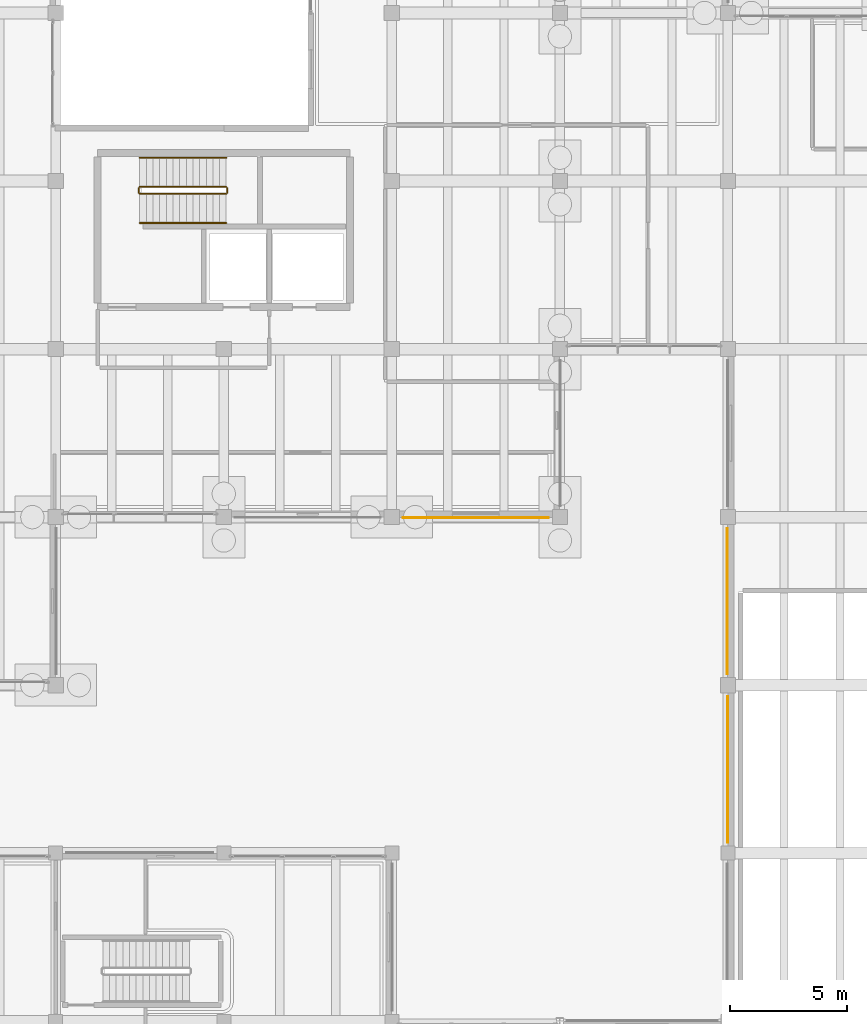
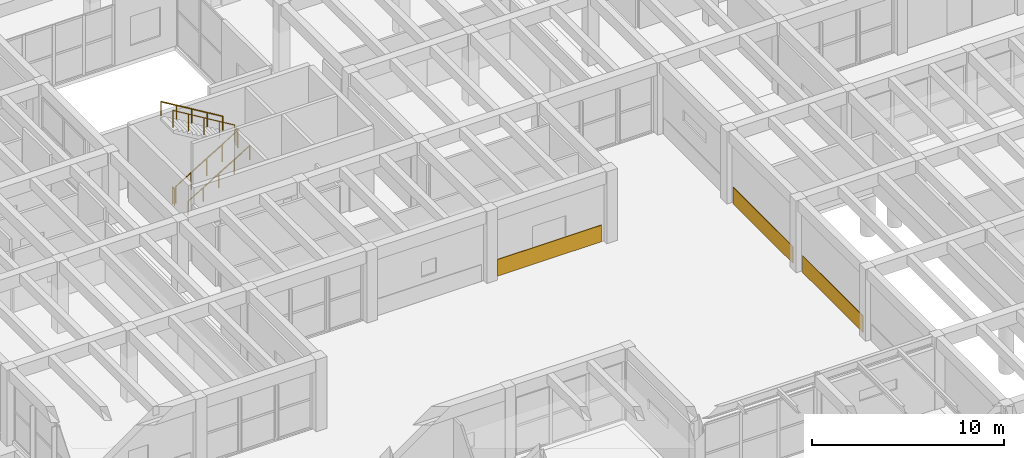
# One storey, part 146 of 155: 6 railings, 3 coverings.
"""IFC4 building model written with IfcOpenShell, lengths in metres."""

from ifc_helpers import new_model, si_unit, direction, frame, origin, origin_2d, place, context, subcontext, project, spatial, rectangle, circle, extrude, material, layer, layer_set, type_object, element, save


model = new_model("IFC4")

# Units and contexts
model_context = context("Model", 3, precision=1e-05, world=origin(), true_north=direction((0.0, 1.0)))
body_context = subcontext(model_context, "Body", "Model", "MODEL_VIEW")
ifc_project = project(units=[si_unit("LENGTHUNIT", "METRE"), si_unit("AREAUNIT", "SQUARE_METRE"), si_unit("VOLUMEUNIT", "CUBIC_METRE"), si_unit("PLANEANGLEUNIT", "RADIAN"), si_unit("MASSUNIT", "GRAM", prefix="KILO")], contexts=[model_context])

# Site, building, storey
site_placement = place(None, origin())
site = spatial("IfcSite", under=ifc_project, at=site_placement, CompositionType="ELEMENT")
building_placement = place(site_placement, origin())
building = spatial("IfcBuilding", under=site, at=building_placement, Name="Bramvelor Terrace Health Centre", CompositionType="ELEMENT")
storey_placement = place(building_placement, origin())
storey = spatial("IfcBuildingStorey", under=building, at=storey_placement, Name="L01", CompositionType="ELEMENT", Elevation=0.0)

# Coverings
ifc_material_1 = material(Name="Honed volcanic tuff rainscreen stone", Category="masonry")
ifc_layer = layer(ifc_material_1, 0.0400390625)
ifc_layer_set = layer_set([ifc_layer], Name="Honed volcanic tuff rainscreen stone")
covering_type = type_object("IfcCoveringType", Name="COV-CLAD-TUF", PredefinedType="CLADDING", material=ifc_layer_set)
covering_1_placement = place(storey_placement, frame((43.18505859375, 68.387451171875, 0.02490234375), z_axis=(0.0, 0.0, 1.0), x_axis=(1.0, 0.0, 0.0)))
element("IfcCovering", 1, at=covering_1_placement, inside=storey, type_object=covering_type, Name="L01 Volcanic Tuff Rainscreen Spandrel 13", PredefinedType="CLADDING", context=body_context, shape_type="SweptSolid", body=[
    extrude(rectangle(XDim=0.0400390625, YDim=6.284912109375, at=origin_2d()), origin(), (0.0, 0.0, 1.0), 1.050048828125),
])
covering_2_placement = place(storey_placement, frame((43.169921875, 75.60009765625, 0.02490234375), z_axis=(0.0, 0.0, 1.0), x_axis=(1.0, 0.0, 0.0)))
element("IfcCovering", 2, at=covering_2_placement, inside=storey, type_object=covering_type, Name="L01 Volcanic Tuff Rainscreen Spandrel 14", PredefinedType="CLADDING", context=body_context, shape_type="SweptSolid", body=[
    extrude(rectangle(XDim=0.0400390625, YDim=6.260009765625, at=origin_2d()), origin(), (0.0, 0.0, 1.0), 1.050048828125),
])
covering_3_placement = place(storey_placement, frame((32.39990234375, 79.169921875, 0.02490234375), z_axis=(0.0, 0.0, 1.0), x_axis=(1.0, 0.0, 0.0)))
element("IfcCovering", 3, at=covering_3_placement, inside=storey, type_object=covering_type, Name="L01 Volcanic Tuff Rainscreen Spandrel 17", PredefinedType="CLADDING", context=body_context, shape_type="SweptSolid", body=[
    extrude(rectangle(XDim=6.260009765625, YDim=0.0400390625, at=origin_2d()), origin(), (0.0, 0.0, 1.0), 1.050048828125),
])

# Railings
ifc_material_2 = material(Name="Painted galvanized steel", Category="steel")
railing_type_1 = type_object("IfcRailingType", Name="RLG-GD-1100", PredefinedType="GUARDRAIL", material=ifc_material_2)
railing_1_placement = place(storey_placement, frame((18.0, 93.050048828125, 0.17138671875)))
element("IfcRailing", 4, at=railing_1_placement, inside=storey, type_object=railing_type_1, Name="L01 ST-2 stair guard 1", PredefinedType="GUARDRAIL", context=body_context, shape_type="SweptSolid", body=[
    extrude(circle(Radius=0.02392578125, at=origin_2d()), frame((0.0, 0.0, 1.076171875), z_axis=(0.856934400257, 0.0, 0.515425487977), x_axis=(0.0, 1.0, 0.0)), (0.0, 0.0, 1.0), 4.32373046875),
    extrude(circle(Radius=0.02099609375, at=origin_2d()), origin(), (0.0, 0.0, 1.0), 1.052001953125),
    extrude(circle(Radius=0.02099609375, at=origin_2d()), frame((0.92626953125, 0.0, 0.55712890625)), (0.0, 0.0, 1.0), 1.052001953125),
    extrude(circle(Radius=0.02099609375, at=origin_2d()), frame((1.8525390625, 0.0, 1.1142578125)), (0.0, 0.0, 1.0), 1.052001953125),
    extrude(circle(Radius=0.02099609375, at=origin_2d()), frame((2.77880859375, 0.0, 1.67138671875)), (0.0, 0.0, 1.0), 1.052001953125),
    extrude(circle(Radius=0.02099609375, at=origin_2d()), frame((3.705078125, 0.0, 2.228515625)), (0.0, 0.0, 1.0), 1.052001953125),
])
railing_2_placement = place(storey_placement, frame((21.7548828125, 93.10009765625, 2.39990234375)))
element("IfcRailing", 5, at=railing_2_placement, inside=storey, type_object=railing_type_1, Name="L01 ST-2 stair guard 2", PredefinedType="GUARDRAIL", context=body_context, shape_type="SweptSolid", body=[
    extrude(circle(Radius=0.02392578125, at=origin_2d()), frame((0.0, 0.0, 1.076171875), z_axis=(0.0, 1.0, 0.0), x_axis=(-1.0, 0.0, 0.0)), (0.0, 0.0, 1.0), 0.199951171875),
    extrude(circle(Radius=0.02099609375, at=origin_2d()), origin(), (0.0, 0.0, 1.0), 1.052001953125),
    extrude(circle(Radius=0.02099609375, at=origin_2d()), frame((0.0, 0.199951171875, 0.0)), (0.0, 0.0, 1.0), 1.052001953125),
])
railing_3_placement = place(storey_placement, frame((21.705078125, 93.35009765625, 2.571533203125)))
element("IfcRailing", 6, at=railing_3_placement, inside=storey, type_object=railing_type_1, Name="L01 ST-2 stair guard 3", PredefinedType="GUARDRAIL", context=body_context, shape_type="SweptSolid", body=[
    extrude(circle(Radius=0.02392578125, at=origin_2d()), frame((0.0, 0.0, 1.076171875), z_axis=(-0.856934400257, 0.0, 0.515425487977), x_axis=(0.0, -1.0, 0.0)), (0.0, 0.0, 1.0), 4.32373046875),
    extrude(circle(Radius=0.02099609375, at=origin_2d()), origin(), (0.0, 0.0, 1.0), 1.052001953125),
    extrude(circle(Radius=0.02099609375, at=origin_2d()), frame((-0.92626953125, 0.0, 0.55712890625)), (0.0, 0.0, 1.0), 1.052001953125),
    extrude(circle(Radius=0.02099609375, at=origin_2d()), frame((-1.8525390625, 0.0, 1.1142578125)), (0.0, 0.0, 1.0), 1.052001953125),
    extrude(circle(Radius=0.02099609375, at=origin_2d()), frame((-2.77880859375, 0.0, 1.67138671875)), (0.0, 0.0, 1.0), 1.052001953125),
    extrude(circle(Radius=0.02099609375, at=origin_2d()), frame((-3.705078125, 0.0, 2.228515625)), (0.0, 0.0, 1.0), 1.052001953125),
])
railing_4_placement = place(storey_placement, frame((17.949951171875, 93.10009765625, 0.0)))
element("IfcRailing", 7, at=railing_4_placement, inside=storey, type_object=railing_type_1, Name="L01 ST-2 stair guard 4", PredefinedType="GUARDRAIL", context=body_context, shape_type="SweptSolid", body=[
    extrude(circle(Radius=0.02392578125, at=origin_2d()), frame((0.0, 0.0, 1.076171875), z_axis=(0.0, 1.0, 0.0), x_axis=(-1.0, 0.0, 0.0)), (0.0, 0.0, 1.0), 0.199951171875),
    extrude(circle(Radius=0.02099609375, at=origin_2d()), origin(), (0.0, 0.0, 1.0), 1.052001953125),
    extrude(circle(Radius=0.02099609375, at=origin_2d()), frame((0.0, 0.199951171875, 0.0)), (0.0, 0.0, 1.0), 1.052001953125),
])
ifc_material_3 = material(Name="Brushed stainless steel 316", Category="steel")
railing_type_2 = type_object("IfcRailingType", Name="RLG-HR-900", PredefinedType="HANDRAIL", material=ifc_material_3)
railing_5_placement = place(storey_placement, frame((18.0, 91.800048828125, 0.17138671875)))
element("IfcRailing", 8, at=railing_5_placement, inside=storey, type_object=railing_type_2, Name="L01 ST-2 stair handrail 1", PredefinedType="HANDRAIL", context=body_context, shape_type="SweptSolid", body=[
    extrude(circle(Radius=0.02392578125, at=origin_2d()), frame((0.0, 0.0, 0.8759765625), z_axis=(0.856934400257, 0.0, 0.515425487977), x_axis=(0.0, 1.0, 0.0)), (0.0, 0.0, 1.0), 4.32373046875),
    extrude(circle(Radius=0.02099609375, at=origin_2d()), origin(), (0.0, 0.0, 1.0), 0.851806640625),
    extrude(circle(Radius=0.02099609375, at=origin_2d()), frame((0.92626953125, 0.0, 0.55712890625)), (0.0, 0.0, 1.0), 0.851806640625),
    extrude(circle(Radius=0.02099609375, at=origin_2d()), frame((1.8525390625, 0.0, 1.1142578125)), (0.0, 0.0, 1.0), 0.851806640625),
    extrude(circle(Radius=0.02099609375, at=origin_2d()), frame((2.77880859375, 0.0, 1.67138671875)), (0.0, 0.0, 1.0), 0.851806640625),
    extrude(circle(Radius=0.02099609375, at=origin_2d()), frame((3.705078125, 0.0, 2.228515625)), (0.0, 0.0, 1.0), 0.851806640625),
])
railing_6_placement = place(storey_placement, frame((21.705078125, 94.60009765625, 2.571533203125)))
element("IfcRailing", 9, at=railing_6_placement, inside=storey, type_object=railing_type_2, Name="L01 ST-2 stair handrail 2", PredefinedType="HANDRAIL", context=body_context, shape_type="SweptSolid", body=[
    extrude(circle(Radius=0.02392578125, at=origin_2d()), frame((0.0, 0.0, 0.8759765625), z_axis=(-0.856934400257, 0.0, 0.515425487977), x_axis=(0.0, -1.0, 0.0)), (0.0, 0.0, 1.0), 4.32373046875),
    extrude(circle(Radius=0.02099609375, at=origin_2d()), origin(), (0.0, 0.0, 1.0), 0.851806640625),
    extrude(circle(Radius=0.02099609375, at=origin_2d()), frame((-0.92626953125, 0.0, 0.55712890625)), (0.0, 0.0, 1.0), 0.851806640625),
    extrude(circle(Radius=0.02099609375, at=origin_2d()), frame((-1.8525390625, 0.0, 1.1142578125)), (0.0, 0.0, 1.0), 0.851806640625),
    extrude(circle(Radius=0.02099609375, at=origin_2d()), frame((-2.77880859375, 0.0, 1.67138671875)), (0.0, 0.0, 1.0), 0.851806640625),
    extrude(circle(Radius=0.02099609375, at=origin_2d()), frame((-3.705078125, 0.0, 2.228515625)), (0.0, 0.0, 1.0), 0.851806640625),
])

save(model, "model.ifc")
